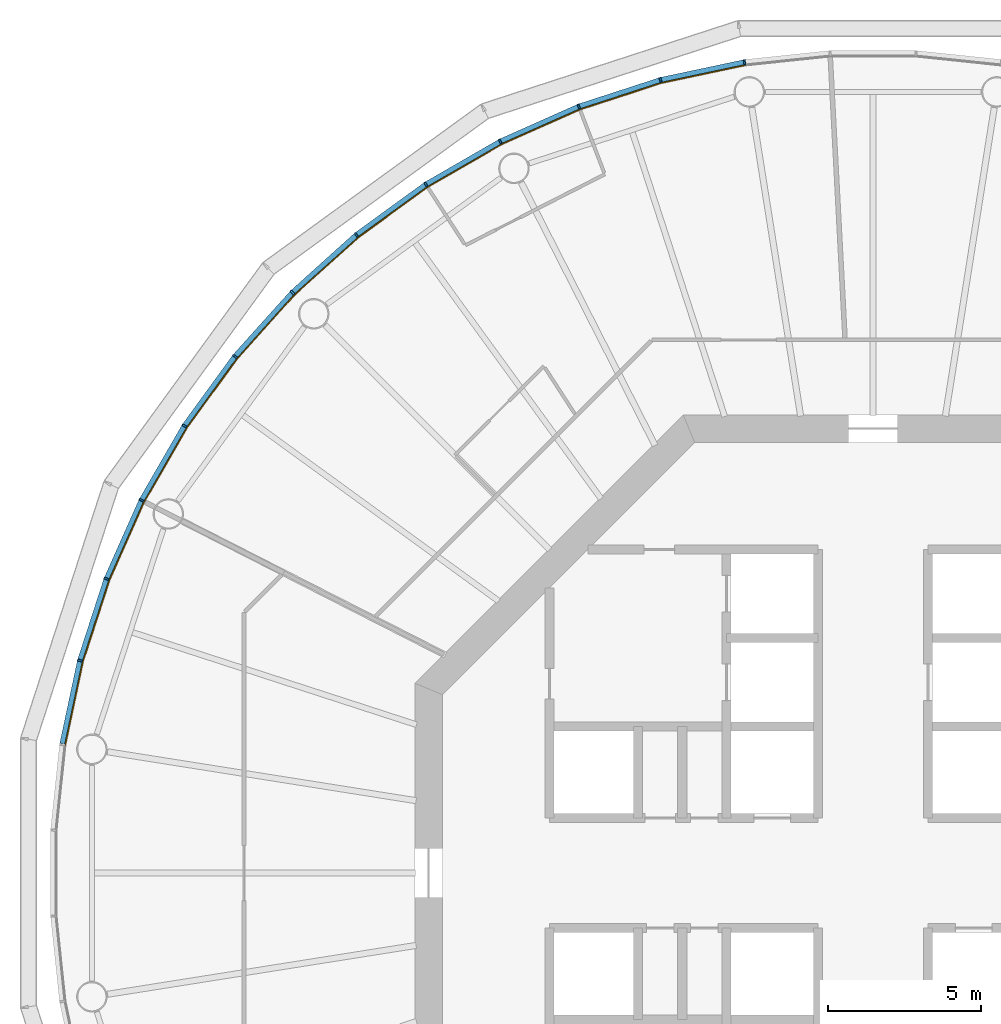
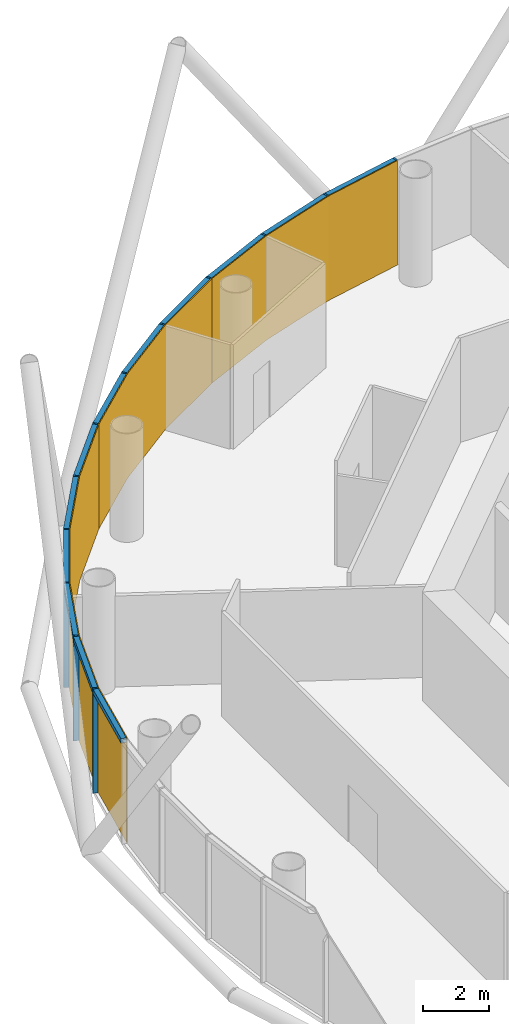
# One storey, part 9 of 12: 24 members, 4 curtain walls.
"""IFC4 building model written with IfcOpenShell, lengths in metres."""

from ifc_helpers import new_model, si_unit, direction, frame, origin, origin_2d, place, context, subcontext, project, spatial, polyline, rectangle, outline, extrude, material, layer, layer_set, material_profile, profile_set, type_object, element, aggregate, save


model = new_model("IFC4")

# Units and contexts
model_context = context("Model", 3, precision=1e-05, world=origin(), true_north=direction((0.0, 1.0)))
body_context = subcontext(model_context, "Body", "Model", "MODEL_VIEW")
ifc_project = project(units=[si_unit("LENGTHUNIT", "METRE"), si_unit("AREAUNIT", "SQUARE_METRE"), si_unit("VOLUMEUNIT", "CUBIC_METRE"), si_unit("PLANEANGLEUNIT", "RADIAN"), si_unit("MASSUNIT", "GRAM", prefix="KILO")], contexts=[model_context])

# Member
ifc_material_1 = material(Name="Anodised aluminium", Category="aluminium")
ifc_material_profile_1 = material_profile(ifc_material_1, rectangle(XDim=0.06005859375, YDim=0.169921875, at=origin_2d()), Name="Mullion 60 x 170 mm anodised aluminium")
ifc_profile_set_1 = profile_set([ifc_material_profile_1], Name="Anodised aluminium")
member_type_1 = type_object("IfcMemberType", Name="Mullion 60 x 170 mm anodised aluminium", PredefinedType="MULLION", material=ifc_profile_set_1)
site_placement = place(None, origin())
building_placement = place(site_placement, origin())
storey_placement = place(building_placement, frame((0.0, 0.0, 238.0)))
member_1_placement = place(storey_placement, frame((85.794189453125, 106.553955078125, 0.0), z_axis=(0.0, 0.0, 1.0), x_axis=(-0.987688340595, -0.15643446504, 0.0)))
member_1 = element("IfcMember", 1, at=member_1_placement, type_object=member_type_1, Name="MULLION L54-15", PredefinedType="MULLION", context=body_context, shape_type="SweptSolid", body=[
    extrude(rectangle(XDim=0.06005859375, YDim=0.169921875, at=origin_2d()), origin(), (0.0, 0.0, 1.0), 3.85009765625),
])

member_2_placement = place(storey_placement, frame((83.041748046875, 105.968994140625, 0.0), z_axis=(0.0, 0.0, 1.0), x_axis=(-0.965925826289, -0.258819045103, 0.0)))
member_2 = element("IfcMember", 2, at=member_2_placement, type_object=member_type_1, Name="MULLION L54-16", PredefinedType="MULLION", context=body_context, shape_type="SweptSolid", body=[
    extrude(rectangle(XDim=0.06005859375, YDim=0.169921875, at=origin_2d()), origin(), (0.0, 0.0, 1.0), 3.85009765625),
])

member_3_placement = place(storey_placement, frame((80.365234375, 105.099365234375, 0.0), z_axis=(0.0, 0.0, 1.0), x_axis=(-0.933580426497, -0.358367949545, 0.0)))
member_3 = element("IfcMember", 3, at=member_3_placement, type_object=member_type_1, Name="MULLION L54-17", PredefinedType="MULLION", context=body_context, shape_type="SweptSolid", body=[
    extrude(rectangle(XDim=0.06005859375, YDim=0.169921875, at=origin_2d()), origin(), (0.0, 0.0, 1.0), 3.85009765625),
])

member_4_placement = place(storey_placement, frame((77.79443359375, 103.95458984375, 0.0), z_axis=(0.0, 0.0, 1.0), x_axis=(-0.891006524188, -0.45399049974, 0.0)))
member_4 = element("IfcMember", 4, at=member_4_placement, type_object=member_type_1, Name="MULLION L54-18", PredefinedType="MULLION", context=body_context, shape_type="SweptSolid", body=[
    extrude(rectangle(XDim=0.06005859375, YDim=0.169921875, at=origin_2d()), origin(), (0.0, 0.0, 1.0), 3.85009765625),
])

member_5_placement = place(storey_placement, frame((75.357421875, 102.547607421875, 0.0), z_axis=(0.0, 0.0, 1.0), x_axis=(-0.838670567945, -0.544639035015, 0.0)))
member_5 = element("IfcMember", 5, at=member_5_placement, type_object=member_type_1, Name="MULLION L54-19", PredefinedType="MULLION", context=body_context, shape_type="SweptSolid", body=[
    extrude(rectangle(XDim=0.06005859375, YDim=0.169921875, at=origin_2d()), origin(), (0.0, 0.0, 1.0), 3.85009765625),
])

member_6_placement = place(storey_placement, frame((73.080810546875, 100.8935546875, 0.0), z_axis=(0.0, 0.0, 1.0), x_axis=(-0.777145961457, -0.62932039105, 0.0)))
member_6 = element("IfcMember", 6, at=member_6_placement, type_object=member_type_1, Name="MULLION L54-20", PredefinedType="MULLION", context=body_context, shape_type="SweptSolid", body=[
    extrude(rectangle(XDim=0.06005859375, YDim=0.169921875, at=origin_2d()), origin(), (0.0, 0.0, 1.0), 3.85009765625),
])

member_7_placement = place(storey_placement, frame((70.989501953125, 99.010498046875, 0.0), z_axis=(0.0, 0.0, 1.0), x_axis=(-0.707106781187, -0.707106781187, 0.0)))
member_7 = element("IfcMember", 7, at=member_7_placement, type_object=member_type_1, Name="MULLION L54-21", PredefinedType="MULLION", context=body_context, shape_type="SweptSolid", body=[
    extrude(rectangle(XDim=0.06005859375, YDim=0.169921875, at=origin_2d()), origin(), (0.0, 0.0, 1.0), 3.85009765625),
])

member_8_placement = place(storey_placement, frame((69.1064453125, 96.919189453125, 0.0), z_axis=(0.0, 0.0, 1.0), x_axis=(-0.62932039105, -0.777145961457, 0.0)))
member_8 = element("IfcMember", 8, at=member_8_placement, type_object=member_type_1, Name="MULLION L54-22", PredefinedType="MULLION", context=body_context, shape_type="SweptSolid", body=[
    extrude(rectangle(XDim=0.06005859375, YDim=0.169921875, at=origin_2d()), origin(), (0.0, 0.0, 1.0), 3.85009765625),
])

member_9_placement = place(storey_placement, frame((67.452392578125, 94.642578125, 0.0), z_axis=(0.0, 0.0, 1.0), x_axis=(-0.544639035015, -0.838670567945, 0.0)))
member_9 = element("IfcMember", 9, at=member_9_placement, type_object=member_type_1, Name="MULLION L54-23", PredefinedType="MULLION", context=body_context, shape_type="SweptSolid", body=[
    extrude(rectangle(XDim=0.06005859375, YDim=0.169921875, at=origin_2d()), origin(), (0.0, 0.0, 1.0), 3.85009765625),
])

member_10_placement = place(storey_placement, frame((66.04541015625, 92.20556640625, 0.0), z_axis=(0.0, 0.0, 1.0), x_axis=(-0.45399049974, -0.891006524188, 0.0)))
member_10 = element("IfcMember", 10, at=member_10_placement, type_object=member_type_1, Name="MULLION L54-24", PredefinedType="MULLION", context=body_context, shape_type="SweptSolid", body=[
    extrude(rectangle(XDim=0.06005859375, YDim=0.169921875, at=origin_2d()), origin(), (0.0, 0.0, 1.0), 3.85009765625),
])

member_11_placement = place(storey_placement, frame((64.900634765625, 89.634765625, 0.0), z_axis=(0.0, 0.0, 1.0), x_axis=(-0.358367949545, -0.933580426497, 0.0)))
member_11 = element("IfcMember", 11, at=member_11_placement, type_object=member_type_1, Name="MULLION L54-25", PredefinedType="MULLION", context=body_context, shape_type="SweptSolid", body=[
    extrude(rectangle(XDim=0.06005859375, YDim=0.169921875, at=origin_2d()), origin(), (0.0, 0.0, 1.0), 3.85009765625),
])

member_12_placement = place(storey_placement, frame((64.031005859375, 86.958251953125, 0.0), z_axis=(0.0, 0.0, 1.0), x_axis=(-0.258819045103, -0.965925826289, 0.0)))
member_12 = element("IfcMember", 12, at=member_12_placement, type_object=member_type_1, Name="MULLION L54-26", PredefinedType="MULLION", context=body_context, shape_type="SweptSolid", body=[
    extrude(rectangle(XDim=0.06005859375, YDim=0.169921875, at=origin_2d()), origin(), (0.0, 0.0, 1.0), 3.85009765625),
])

ifc_material_2 = material(Name="Anodised aluminium", Category="aluminium")
ifc_material_profile_2 = material_profile(ifc_material_2, rectangle(XDim=0.169921875, YDim=0.1650390625, at=origin_2d()), Name="Transom 165 x 170 mm anodised aluminium")
ifc_profile_set_2 = profile_set([ifc_material_profile_2], Name="Anodised aluminium")
member_type_2 = type_object("IfcMemberType", Name="Transom 165 x 170 mm anodised aluminium", PredefinedType="USERDEFINED", material=ifc_profile_set_2)
member_13_placement = place(storey_placement, frame((85.760498046875, 106.546875, 3.767578125), z_axis=(-0.97814212115, -0.207937468562, 0.0), x_axis=(0.207937468562, -0.97814212115, 0.0)))
member_13 = element("IfcMember", 13, at=member_13_placement, type_object=member_type_2, Name="TRANSOM L54-15", ObjectType="TRANSOM", PredefinedType="USERDEFINED", context=body_context, shape_type="SweptSolid", body=[
    extrude(rectangle(XDim=0.169921875, YDim=0.1650390625, at=origin_2d()), origin(), (0.0, 0.0, 1.0), 2.7451171875),
])

member_14_placement = place(storey_placement, frame((83.0087890625, 105.95849609375, 3.767578125), z_axis=(-0.951048445774, -0.309041831781, 0.0), x_axis=(0.309041831781, -0.951048445774, 0.0)))
member_14 = element("IfcMember", 14, at=member_14_placement, type_object=member_type_2, Name="TRANSOM L54-16", ObjectType="TRANSOM", PredefinedType="USERDEFINED", context=body_context, shape_type="SweptSolid", body=[
    extrude(rectangle(XDim=0.169921875, YDim=0.1650390625, at=origin_2d()), origin(), (0.0, 0.0, 1.0), 2.7451171875),
])

member_15_placement = place(storey_placement, frame((80.333740234375, 105.08544921875, 3.767578125), z_axis=(-0.913525267704, -0.406781987391, 0.0), x_axis=(0.406781987391, -0.913525267704, 0.0)))
member_15 = element("IfcMember", 15, at=member_15_placement, type_object=member_type_2, Name="TRANSOM L54-17", ObjectType="TRANSOM", PredefinedType="USERDEFINED", context=body_context, shape_type="SweptSolid", body=[
    extrude(rectangle(XDim=0.169921875, YDim=0.1650390625, at=origin_2d()), origin(), (0.0, 0.0, 1.0), 2.7451171875),
])

member_16_placement = place(storey_placement, frame((77.7646484375, 103.9375, 3.767578125), z_axis=(-0.866034527326, -0.49998419723, 0.0), x_axis=(0.49998419723, -0.866034527326, 0.0)))
member_16 = element("IfcMember", 16, at=member_16_placement, type_object=member_type_2, Name="TRANSOM L54-18", ObjectType="TRANSOM", PredefinedType="USERDEFINED", context=body_context, shape_type="SweptSolid", body=[
    extrude(rectangle(XDim=0.169921875, YDim=0.1650390625, at=origin_2d()), origin(), (0.0, 0.0, 1.0), 2.7451171875),
])

member_17_placement = place(storey_placement, frame((75.329345703125, 102.527587890625, 3.767578125), z_axis=(-0.808959086484, -0.587864947412, 0.0), x_axis=(0.587864947412, -0.808959086484, 0.0)))
member_17 = element("IfcMember", 17, at=member_17_placement, type_object=member_type_2, Name="TRANSOM L54-19", ObjectType="TRANSOM", PredefinedType="USERDEFINED", context=body_context, shape_type="SweptSolid", body=[
    extrude(rectangle(XDim=0.169921875, YDim=0.1650390625, at=origin_2d()), origin(), (0.0, 0.0, 1.0), 2.7451171875),
])

member_18_placement = place(storey_placement, frame((73.054931640625, 100.87060546875, 3.767578125), z_axis=(-0.743134927907, -0.669141598561, 0.0), x_axis=(0.669141598561, -0.743134927907, 0.0)))
member_18 = element("IfcMember", 18, at=member_18_placement, type_object=member_type_2, Name="TRANSOM L54-20", ObjectType="TRANSOM", PredefinedType="USERDEFINED", context=body_context, shape_type="SweptSolid", body=[
    extrude(rectangle(XDim=0.169921875, YDim=0.1650390625, at=origin_2d()), origin(), (0.0, 0.0, 1.0), 2.7451171875),
])

member_19_placement = place(storey_placement, frame((70.96630859375, 98.985107421875, 3.767578125), z_axis=(-0.669141598561, -0.743134927907, 0.0), x_axis=(0.743134927907, -0.669141598561, 0.0)))
member_19 = element("IfcMember", 19, at=member_19_placement, type_object=member_type_2, Name="TRANSOM L54-21", ObjectType="TRANSOM", PredefinedType="USERDEFINED", context=body_context, shape_type="SweptSolid", body=[
    extrude(rectangle(XDim=0.169921875, YDim=0.1650390625, at=origin_2d()), origin(), (0.0, 0.0, 1.0), 2.7451171875),
])

member_20_placement = place(storey_placement, frame((69.086181640625, 96.891357421875, 3.767578125), z_axis=(-0.587864947412, -0.808959086484, 0.0), x_axis=(0.808959086484, -0.587864947412, 0.0)))
member_20 = element("IfcMember", 20, at=member_20_placement, type_object=member_type_2, Name="TRANSOM L54-22", ObjectType="TRANSOM", PredefinedType="USERDEFINED", context=body_context, shape_type="SweptSolid", body=[
    extrude(rectangle(XDim=0.169921875, YDim=0.1650390625, at=origin_2d()), origin(), (0.0, 0.0, 1.0), 2.7451171875),
])

member_21_placement = place(storey_placement, frame((67.43505859375, 94.61279296875, 3.767578125), z_axis=(-0.49998419723, -0.866034527326, 0.0), x_axis=(0.866034527326, -0.49998419723, 0.0)))
member_21 = element("IfcMember", 21, at=member_21_placement, type_object=member_type_2, Name="TRANSOM L54-23", ObjectType="TRANSOM", PredefinedType="USERDEFINED", context=body_context, shape_type="SweptSolid", body=[
    extrude(rectangle(XDim=0.169921875, YDim=0.1650390625, at=origin_2d()), origin(), (0.0, 0.0, 1.0), 2.7451171875),
])

member_22_placement = place(storey_placement, frame((66.03125, 92.174072265625, 3.767578125), z_axis=(-0.406781987391, -0.913525267704, 0.0), x_axis=(0.913525267704, -0.406781987391, 0.0)))
member_22 = element("IfcMember", 22, at=member_22_placement, type_object=member_type_2, Name="TRANSOM L54-24", ObjectType="TRANSOM", PredefinedType="USERDEFINED", context=body_context, shape_type="SweptSolid", body=[
    extrude(rectangle(XDim=0.169921875, YDim=0.1650390625, at=origin_2d()), origin(), (0.0, 0.0, 1.0), 2.7451171875),
])

member_23_placement = place(storey_placement, frame((64.889892578125, 89.60205078125, 3.767578125), z_axis=(-0.309041831781, -0.951048445774, 0.0), x_axis=(0.951048445774, -0.309041831781, 0.0)))
member_23 = element("IfcMember", 23, at=member_23_placement, type_object=member_type_2, Name="TRANSOM L54-25", ObjectType="TRANSOM", PredefinedType="USERDEFINED", context=body_context, shape_type="SweptSolid", body=[
    extrude(rectangle(XDim=0.169921875, YDim=0.1650390625, at=origin_2d()), origin(), (0.0, 0.0, 1.0), 2.7451171875),
])

member_24_placement = place(storey_placement, frame((64.02392578125, 86.924560546875, 3.767578125), z_axis=(-0.207937468562, -0.97814212115, 0.0), x_axis=(0.97814212115, -0.207937468562, 0.0)))
member_24 = element("IfcMember", 24, at=member_24_placement, type_object=member_type_2, Name="TRANSOM L54-26", ObjectType="TRANSOM", PredefinedType="USERDEFINED", context=body_context, shape_type="SweptSolid", body=[
    extrude(rectangle(XDim=0.169921875, YDim=0.1650390625, at=origin_2d()), origin(), (0.0, 0.0, 1.0), 2.7451171875),
])

# Site, building, storey
site = spatial("IfcSite", under=ifc_project, at=site_placement, CompositionType="ELEMENT")
building = spatial("IfcBuilding", under=site, at=building_placement, Name="Entoto Ring Tower", CompositionType="ELEMENT")
storey = spatial("IfcBuildingStorey", under=building, at=storey_placement, Name="L54", CompositionType="ELEMENT", Elevation=238.0)

# Curtain wall
ifc_material_3 = material(Name="Clear low-iron glass", Category="glass")
ifc_layer = layer(ifc_material_3, 0.031982421875)
ifc_layer_set = layer_set([ifc_layer], Name="Clear low-iron glass")
curtain_wall_type = type_object("IfcCurtainWallType", Name="Curtain wall system CW4 glazing 32 mm", PredefinedType="NOTDEFINED", material=ifc_layer_set)
curtain_wall_1_placement = place(storey_placement, origin())
curtain_wall_1 = element("IfcCurtainWall", 25, at=curtain_wall_1_placement, inside=storey, type_object=curtain_wall_type, Name="CW4 L54-06", PredefinedType="NOTDEFINED", context=body_context, shape_type="SweptSolid", body=[
    extrude(outline(polyline([(85.8076171875, 106.469970703125), (83.063720703125, 105.88671875), (80.395751953125, 105.02001953125), (77.8330078125, 103.87890625), (77.84765625, 103.850341796875), (80.4072265625, 104.989990234375), (83.072021484375, 105.85595703125), (85.8125, 106.4384765625), (85.8076171875, 106.469970703125)])), origin(), (0.0, 0.0, 1.0), 3.85009765625),
])

aggregate(curtain_wall_1, [member_1, member_2, member_3, member_13, member_14, member_15])

curtain_wall_2_placement = place(storey_placement, origin())
curtain_wall_2 = element("IfcCurtainWall", 26, at=curtain_wall_2_placement, inside=storey, type_object=curtain_wall_type, Name="CW4 L54-07", PredefinedType="NOTDEFINED", context=body_context, shape_type="SweptSolid", body=[
    extrude(outline(polyline([(77.8330078125, 103.87890625), (75.403564453125, 102.476318359375), (73.13427734375, 100.827392578125), (71.049560546875, 98.950439453125), (71.072265625, 98.927734375), (73.154296875, 100.802490234375), (75.421142578125, 102.449462890625), (77.84765625, 103.850341796875), (77.8330078125, 103.87890625)])), origin(), (0.0, 0.0, 1.0), 3.85009765625),
])

aggregate(curtain_wall_2, [member_4, member_5, member_6, member_16, member_17, member_18])

curtain_wall_3_placement = place(storey_placement, origin())
curtain_wall_3 = element("IfcCurtainWall", 27, at=curtain_wall_3_placement, inside=storey, type_object=curtain_wall_type, Name="CW4 L54-08", PredefinedType="NOTDEFINED", context=body_context, shape_type="SweptSolid", body=[
    extrude(outline(polyline([(71.049560546875, 98.950439453125), (69.172607421875, 96.86572265625), (67.523681640625, 94.596435546875), (66.12109375, 92.1669921875), (66.149658203125, 92.15234375), (67.550537109375, 94.578857421875), (69.197509765625, 96.845703125), (71.072265625, 98.927734375), (71.049560546875, 98.950439453125)])), origin(), (0.0, 0.0, 1.0), 3.85009765625),
])

aggregate(curtain_wall_3, [member_7, member_8, member_9, member_19, member_20, member_21])

curtain_wall_4_placement = place(storey_placement, origin())
curtain_wall_4 = element("IfcCurtainWall", 28, at=curtain_wall_4_placement, inside=storey, type_object=curtain_wall_type, Name="CW4 L54-09", PredefinedType="NOTDEFINED", context=body_context, shape_type="SweptSolid", body=[
    extrude(outline(polyline([(66.12109375, 92.1669921875), (64.97998046875, 89.604248046875), (64.11328125, 86.936279296875), (63.530029296875, 84.1923828125), (63.5615234375, 84.1875), (64.14404296875, 86.927978515625), (65.010009765625, 89.5927734375), (66.149658203125, 92.15234375), (66.12109375, 92.1669921875)])), origin(), (0.0, 0.0, 1.0), 3.85009765625),
])

aggregate(curtain_wall_4, [member_10, member_11, member_12, member_22, member_23, member_24])

save(model, "model.ifc")
